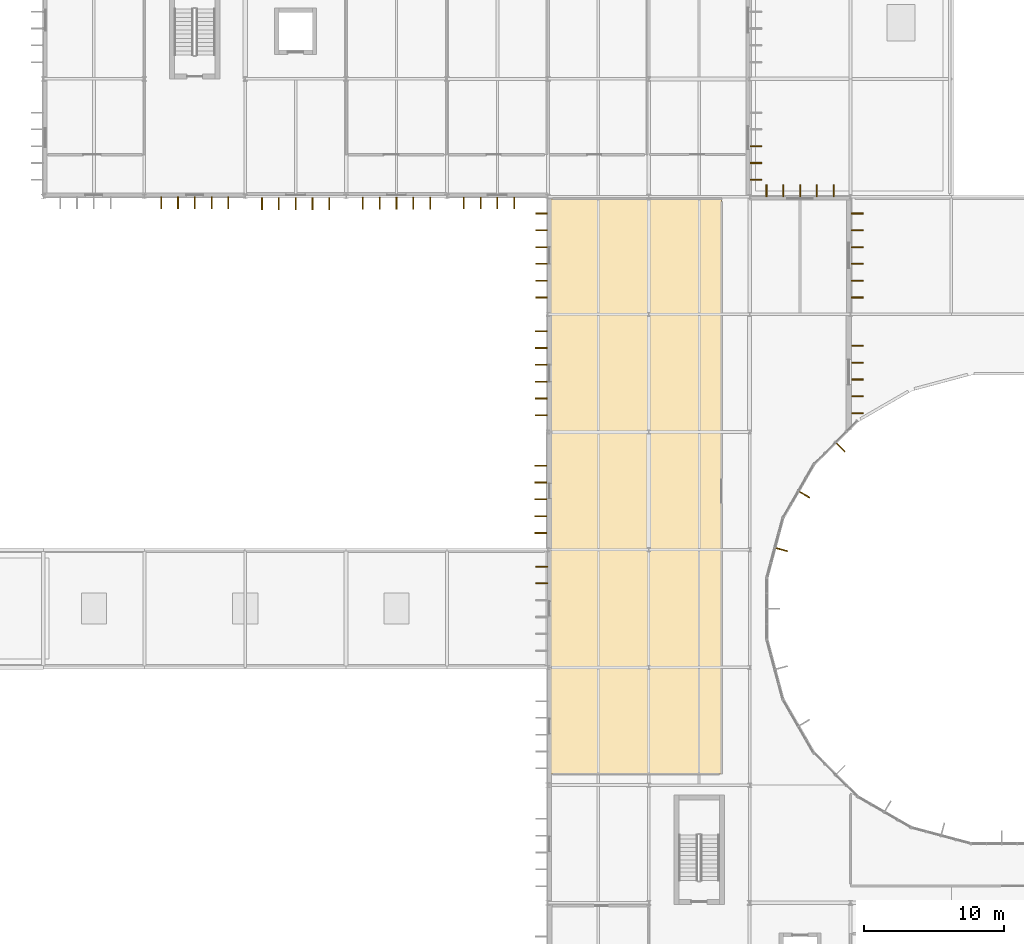
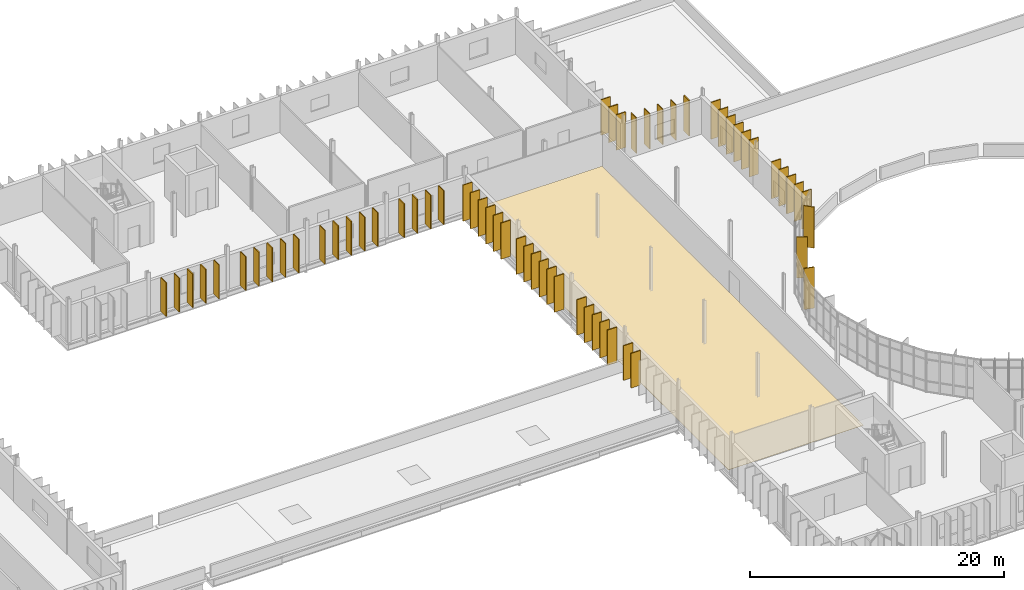
# One storey, part 59 of 61: 60 shading devices, 1 covering.
"""IFC4 building model written with IfcOpenShell, lengths in metres."""

from ifc_helpers import new_model, si_unit, direction, frame, origin, origin_2d, place, context, subcontext, project, spatial, polyline, rectangle, outline, extrude, material, layer, layer_set, type_object, element, save


model = new_model("IFC4")

# Units and contexts
model_context = context("Model", 3, precision=1e-05, world=origin(), true_north=direction((0.0, 1.0)))
body_context = subcontext(model_context, "Body", "Model", "MODEL_VIEW")
ifc_project = project(units=[si_unit("LENGTHUNIT", "METRE"), si_unit("AREAUNIT", "SQUARE_METRE"), si_unit("VOLUMEUNIT", "CUBIC_METRE"), si_unit("PLANEANGLEUNIT", "RADIAN"), si_unit("MASSUNIT", "GRAM", prefix="KILO")], contexts=[model_context])

# Site, building, storey
site_placement = place(None, origin())
site = spatial("IfcSite", under=ifc_project, at=site_placement, CompositionType="ELEMENT")
building_placement = place(site_placement, origin())
building = spatial("IfcBuilding", under=site, at=building_placement, Name="Qelthora Terrace Specialist Clinic", CompositionType="ELEMENT")
storey_placement = place(building_placement, frame((0.0, 0.0, 13.199951171875)))
storey = spatial("IfcBuildingStorey", under=building, at=storey_placement, Name="L03", CompositionType="ELEMENT", Elevation=13.199951171875)

# Covering
ifc_material_1 = material(Name="Antimicrobial clinical linoleum flooring", Category="other")
ifc_layer = layer(ifc_material_1, 0.011962890625)
ifc_layer_set = layer_set([ifc_layer], Name="Antimicrobial clinical linoleum flooring")
covering_type = type_object("IfcCoveringType", Name="COV-FLR-LINO-12", PredefinedType="FLOORING", material=ifc_layer_set)
covering_placement = place(storey_placement, origin())
element("IfcCovering", 1, at=covering_placement, inside=storey, type_object=covering_type, Name="Refractive and Low-Vision Clinic Wing L03-34 resilient linoleum flooring", PredefinedType="FLOORING", context=body_context, shape_type="SweptSolid", body=[
    extrude(outline(polyline([(93.75, 51.199951171875), (93.75, 92.25), (106.0, 92.25), (106.0, 51.199951171875), (93.75, 51.199951171875)])), origin(), (0.0, 0.0, 1.0), 0.011962890625),
])

# Shading devices
ifc_material_2 = material(Name="Glulam timber GL28h", Category="wood")
shading_device_type = type_object("IfcShadingDeviceType", Name="SHD-FIN-850", PredefinedType="USERDEFINED", material=ifc_material_2)
for number, where, z_axis, x_axis, name in (
    (2, (114.50146484375, 74.49853515625, 0.0), (0.0, 0.0, 1.0), (0.707106781187, -0.707106781187, 0.0), "Court solar fin FIN-0071"),
    (3, (111.917236328125, 71.130615234375, 0.0), (0.0, 0.0, 1.0), (0.866025403784, -0.5, 0.0), "Court solar fin FIN-0072"),
    (4, (110.292724609375, 67.208740234375, 0.0), (0.0, 0.0, 1.0), (0.965925826289, -0.258819045103, 0.0), "Court solar fin FIN-0073"),
):
    element("IfcShadingDevice", number, at=place(storey_placement, frame(where, z_axis=z_axis, x_axis=x_axis)), inside=storey, type_object=shading_device_type, Name=name, ObjectType="FIN", PredefinedType="USERDEFINED", context=body_context, shape_type="SweptSolid", body=[
        extrude(rectangle(XDim=0.85009765625, YDim=0.080078125, at=origin_2d()), origin(), (0.0, 0.0, 1.0), 3.945068359375),
    ])
for number, where, z_axis, x_axis, name in (
    (5, (93.1650390625, 64.800048828125, 0.0), (0.0, 0.0, 1.0), (-1.0, 0.0, 0.0), "Exterior solar shading fin FIN-1519"),
    (6, (93.1650390625, 66.0, 0.0), (0.0, 0.0, 1.0), (-1.0, 0.0, 0.0), "Exterior solar shading fin FIN-1520"),
):
    element("IfcShadingDevice", number, at=place(storey_placement, frame(where, z_axis=z_axis, x_axis=x_axis)), inside=storey, type_object=shading_device_type, Name=name, ObjectType="FIN", PredefinedType="USERDEFINED", context=body_context, shape_type="SweptSolid", body=[
        extrude(rectangle(XDim=0.85009765625, YDim=0.080078125, at=origin_2d()), origin(), (0.0, 0.0, 1.0), 3.324951171875),
    ])
for number, where, z_axis, x_axis, name in (
    (7, (93.10498046875, 68.39990234375, 0.0), (0.0, 0.0, 1.0), (-1.0, 0.0, 0.0), "Exterior solar shading fin FIN-1521"),
    (8, (93.10498046875, 69.60009765625, 0.0), (0.0, 0.0, 1.0), (-1.0, 0.0, 0.0), "Exterior solar shading fin FIN-1522"),
    (9, (93.10498046875, 70.800048828125, 0.0), (0.0, 0.0, 1.0), (-1.0, 0.0, 0.0), "Exterior solar shading fin FIN-1523"),
    (10, (93.10498046875, 72.0, 0.0), (0.0, 0.0, 1.0), (-1.0, 0.0, 0.0), "Exterior solar shading fin FIN-1524"),
    (11, (93.10498046875, 73.199951171875, 0.0), (0.0, 0.0, 1.0), (-1.0, 0.0, 0.0), "Exterior solar shading fin FIN-1525"),
):
    element("IfcShadingDevice", number, at=place(storey_placement, frame(where, z_axis=z_axis, x_axis=x_axis)), inside=storey, type_object=shading_device_type, Name=name, ObjectType="FIN", PredefinedType="USERDEFINED", context=body_context, shape_type="SweptSolid", body=[
        extrude(rectangle(XDim=0.85009765625, YDim=0.080078125, at=origin_2d()), origin(), (0.0, 0.0, 1.0), 3.39794921875),
    ])
for number, where, z_axis, x_axis, name in (
    (12, (93.135009765625, 76.800048828125, 0.0), (0.0, 0.0, 1.0), (-1.0, 0.0, 0.0), "Exterior solar shading fin FIN-1526"),
    (13, (93.135009765625, 78.0, 0.0), (0.0, 0.0, 1.0), (-1.0, 0.0, 0.0), "Exterior solar shading fin FIN-1527"),
    (14, (93.135009765625, 79.199951171875, 0.0), (0.0, 0.0, 1.0), (-1.0, 0.0, 0.0), "Exterior solar shading fin FIN-1528"),
    (15, (93.135009765625, 80.39990234375, 0.0), (0.0, 0.0, 1.0), (-1.0, 0.0, 0.0), "Exterior solar shading fin FIN-1529"),
    (16, (93.135009765625, 81.60009765625, 0.0), (0.0, 0.0, 1.0), (-1.0, 0.0, 0.0), "Exterior solar shading fin FIN-1530"),
    (17, (93.135009765625, 82.800048828125, 0.0), (0.0, 0.0, 1.0), (-1.0, 0.0, 0.0), "Exterior solar shading fin FIN-1531"),
):
    element("IfcShadingDevice", number, at=place(storey_placement, frame(where, z_axis=z_axis, x_axis=x_axis)), inside=storey, type_object=shading_device_type, Name=name, ObjectType="FIN", PredefinedType="USERDEFINED", context=body_context, shape_type="SweptSolid", body=[
        extrude(rectangle(XDim=0.85009765625, YDim=0.080078125, at=origin_2d()), origin(), (0.0, 0.0, 1.0), 3.405029296875),
    ])
for number, where, z_axis, x_axis, name in (
    (18, (93.14501953125, 85.199951171875, 0.0), (0.0, 0.0, 1.0), (-1.0, 0.0, 0.0), "Exterior solar shading fin FIN-1532"),
    (19, (93.14501953125, 86.39990234375, 0.0), (0.0, 0.0, 1.0), (-1.0, 0.0, 0.0), "Exterior solar shading fin FIN-1533"),
    (20, (93.14501953125, 87.60009765625, 0.0), (0.0, 0.0, 1.0), (-1.0, 0.0, 0.0), "Exterior solar shading fin FIN-1534"),
    (21, (93.14501953125, 88.800048828125, 0.0), (0.0, 0.0, 1.0), (-1.0, 0.0, 0.0), "Exterior solar shading fin FIN-1535"),
    (22, (93.14501953125, 90.0, 0.0), (0.0, 0.0, 1.0), (-1.0, 0.0, 0.0), "Exterior solar shading fin FIN-1536"),
    (23, (93.14501953125, 91.199951171875, 0.0), (0.0, 0.0, 1.0), (-1.0, 0.0, 0.0), "Exterior solar shading fin FIN-1537"),
):
    element("IfcShadingDevice", number, at=place(storey_placement, frame(where, z_axis=z_axis, x_axis=x_axis)), inside=storey, type_object=shading_device_type, Name=name, ObjectType="FIN", PredefinedType="USERDEFINED", context=body_context, shape_type="SweptSolid", body=[
        extrude(rectangle(XDim=0.85009765625, YDim=0.080078125, at=origin_2d()), origin(), (0.0, 0.0, 1.0), 3.47607421875),
    ])
for number, where, z_axis, x_axis, name in (
    (24, (66.0, 91.965087890625, 0.0), (0.0, 0.0, 1.0), (0.0, -1.0, 0.0), "Exterior solar shading fin FIN-1542"),
    (25, (67.199951171875, 91.965087890625, 0.0), (0.0, 0.0, 1.0), (0.0, -1.0, 0.0), "Exterior solar shading fin FIN-1543"),
    (26, (68.39990234375, 91.965087890625, 0.0), (0.0, 0.0, 1.0), (0.0, -1.0, 0.0), "Exterior solar shading fin FIN-1544"),
    (27, (69.60009765625, 91.965087890625, 0.0), (0.0, 0.0, 1.0), (0.0, -1.0, 0.0), "Exterior solar shading fin FIN-1545"),
    (28, (70.800048828125, 91.965087890625, 0.0), (0.0, 0.0, 1.0), (0.0, -1.0, 0.0), "Exterior solar shading fin FIN-1546"),
    (29, (73.199951171875, 91.905029296875, 0.0), (0.0, 0.0, 1.0), (0.0, -1.0, 0.0), "Exterior solar shading fin FIN-1547"),
    (30, (74.39990234375, 91.905029296875, 0.0), (0.0, 0.0, 1.0), (0.0, -1.0, 0.0), "Exterior solar shading fin FIN-1548"),
    (31, (75.60009765625, 91.905029296875, 0.0), (0.0, 0.0, 1.0), (0.0, -1.0, 0.0), "Exterior solar shading fin FIN-1549"),
    (32, (76.800048828125, 91.905029296875, 0.0), (0.0, 0.0, 1.0), (0.0, -1.0, 0.0), "Exterior solar shading fin FIN-1550"),
    (33, (78.0, 91.905029296875, 0.0), (0.0, 0.0, 1.0), (0.0, -1.0, 0.0), "Exterior solar shading fin FIN-1551"),
    (34, (80.39990234375, 91.93505859375, 0.0), (0.0, 0.0, 1.0), (0.0, -1.0, 0.0), "Exterior solar shading fin FIN-1552"),
    (35, (81.60009765625, 91.93505859375, 0.0), (0.0, 0.0, 1.0), (0.0, -1.0, 0.0), "Exterior solar shading fin FIN-1553"),
    (36, (82.800048828125, 91.93505859375, 0.0), (0.0, 0.0, 1.0), (0.0, -1.0, 0.0), "Exterior solar shading fin FIN-1554"),
    (37, (84.0, 91.93505859375, 0.0), (0.0, 0.0, 1.0), (0.0, -1.0, 0.0), "Exterior solar shading fin FIN-1555"),
    (38, (85.199951171875, 91.93505859375, 0.0), (0.0, 0.0, 1.0), (0.0, -1.0, 0.0), "Exterior solar shading fin FIN-1556"),
):
    element("IfcShadingDevice", number, at=place(storey_placement, frame(where, z_axis=z_axis, x_axis=x_axis)), inside=storey, type_object=shading_device_type, Name=name, ObjectType="FIN", PredefinedType="USERDEFINED", context=body_context, shape_type="SweptSolid", body=[
        extrude(rectangle(XDim=0.85009765625, YDim=0.080078125, at=origin_2d()), origin(), (0.0, 0.0, 1.0), 3.2490234375),
    ])
for number, where, z_axis, x_axis, name in (
    (39, (87.60009765625, 91.945068359375, 0.0), (0.0, 0.0, 1.0), (0.0, -1.0, 0.0), "Exterior solar shading fin FIN-1557"),
    (40, (88.800048828125, 91.945068359375, 0.0), (0.0, 0.0, 1.0), (0.0, -1.0, 0.0), "Exterior solar shading fin FIN-1558"),
    (41, (90.0, 91.945068359375, 0.0), (0.0, 0.0, 1.0), (0.0, -1.0, 0.0), "Exterior solar shading fin FIN-1559"),
    (42, (91.199951171875, 91.945068359375, 0.0), (0.0, 0.0, 1.0), (0.0, -1.0, 0.0), "Exterior solar shading fin FIN-1560"),
):
    element("IfcShadingDevice", number, at=place(storey_placement, frame(where, z_axis=z_axis, x_axis=x_axis)), inside=storey, type_object=shading_device_type, Name=name, ObjectType="FIN", PredefinedType="USERDEFINED", context=body_context, shape_type="SweptSolid", body=[
        extrude(rectangle(XDim=0.85009765625, YDim=0.080078125, at=origin_2d()), origin(), (0.0, 0.0, 1.0), 3.25390625),
    ])
for number, where, z_axis, x_axis, name in (
    (43, (108.455078125, 93.60009765625, 0.0), (0.0, 0.0, 1.0), (1.0, 0.0, 0.0), "Exterior solar shading fin FIN-1605"),
    (44, (108.455078125, 94.800048828125, 0.0), (0.0, 0.0, 1.0), (1.0, 0.0, 0.0), "Exterior solar shading fin FIN-1606"),
    (45, (108.455078125, 96.0, 0.0), (0.0, 0.0, 1.0), (1.0, 0.0, 0.0), "Exterior solar shading fin FIN-1607"),
):
    element("IfcShadingDevice", number, at=place(storey_placement, frame(where, z_axis=z_axis, x_axis=x_axis)), inside=storey, type_object=shading_device_type, Name=name, ObjectType="FIN", PredefinedType="USERDEFINED", context=body_context, shape_type="SweptSolid", body=[
        extrude(rectangle(XDim=0.85009765625, YDim=0.080078125, at=origin_2d()), origin(), (0.0, 0.0, 1.0), 3.405029296875),
    ])
for number, where, z_axis, x_axis, name in (
    (46, (109.199951171875, 92.8349609375, 0.0), (0.0, 0.0, 1.0), (0.0, 1.0, 0.0), "Exterior solar shading fin FIN-1616"),
    (47, (110.39990234375, 92.8349609375, 0.0), (0.0, 0.0, 1.0), (0.0, 1.0, 0.0), "Exterior solar shading fin FIN-1617"),
    (48, (111.60009765625, 92.8349609375, 0.0), (0.0, 0.0, 1.0), (0.0, 1.0, 0.0), "Exterior solar shading fin FIN-1618"),
    (49, (112.800048828125, 92.8349609375, 0.0), (0.0, 0.0, 1.0), (0.0, 1.0, 0.0), "Exterior solar shading fin FIN-1619"),
    (50, (114.0, 92.8349609375, 0.0), (0.0, 0.0, 1.0), (0.0, 1.0, 0.0), "Exterior solar shading fin FIN-1620"),
):
    element("IfcShadingDevice", number, at=place(storey_placement, frame(where, z_axis=z_axis, x_axis=x_axis)), inside=storey, type_object=shading_device_type, Name=name, ObjectType="FIN", PredefinedType="USERDEFINED", context=body_context, shape_type="SweptSolid", body=[
        extrude(rectangle(XDim=0.85009765625, YDim=0.080078125, at=origin_2d()), origin(), (0.0, 0.0, 1.0), 3.39794921875),
    ])
for number, where, z_axis, x_axis, name in (
    (51, (115.695068359375, 76.95556640625, 0.0), (0.0, 0.0, 1.0), (1.0, 0.0, 0.0), "Exterior solar shading fin FIN-1621"),
    (52, (115.695068359375, 78.155517578125, 0.0), (0.0, 0.0, 1.0), (1.0, 0.0, 0.0), "Exterior solar shading fin FIN-1622"),
    (53, (115.695068359375, 79.35546875, 0.0), (0.0, 0.0, 1.0), (1.0, 0.0, 0.0), "Exterior solar shading fin FIN-1623"),
    (54, (115.695068359375, 80.555419921875, 0.0), (0.0, 0.0, 1.0), (1.0, 0.0, 0.0), "Exterior solar shading fin FIN-1624"),
    (55, (115.695068359375, 81.755615234375, 0.0), (0.0, 0.0, 1.0), (1.0, 0.0, 0.0), "Exterior solar shading fin FIN-1625"),
    (56, (115.6650390625, 85.199951171875, 0.0), (0.0, 0.0, 1.0), (1.0, 0.0, 0.0), "Exterior solar shading fin FIN-1626"),
    (57, (115.6650390625, 86.39990234375, 0.0), (0.0, 0.0, 1.0), (1.0, 0.0, 0.0), "Exterior solar shading fin FIN-1627"),
    (58, (115.6650390625, 87.60009765625, 0.0), (0.0, 0.0, 1.0), (1.0, 0.0, 0.0), "Exterior solar shading fin FIN-1628"),
    (59, (115.6650390625, 88.800048828125, 0.0), (0.0, 0.0, 1.0), (1.0, 0.0, 0.0), "Exterior solar shading fin FIN-1629"),
    (60, (115.6650390625, 90.0, 0.0), (0.0, 0.0, 1.0), (1.0, 0.0, 0.0), "Exterior solar shading fin FIN-1630"),
    (61, (115.6650390625, 91.199951171875, 0.0), (0.0, 0.0, 1.0), (1.0, 0.0, 0.0), "Exterior solar shading fin FIN-1631"),
):
    element("IfcShadingDevice", number, at=place(storey_placement, frame(where, z_axis=z_axis, x_axis=x_axis)), inside=storey, type_object=shading_device_type, Name=name, ObjectType="FIN", PredefinedType="USERDEFINED", context=body_context, shape_type="SweptSolid", body=[
        extrude(rectangle(XDim=0.85009765625, YDim=0.080078125, at=origin_2d()), origin(), (0.0, 0.0, 1.0), 3.531982421875),
    ])

save(model, "model.ifc")
